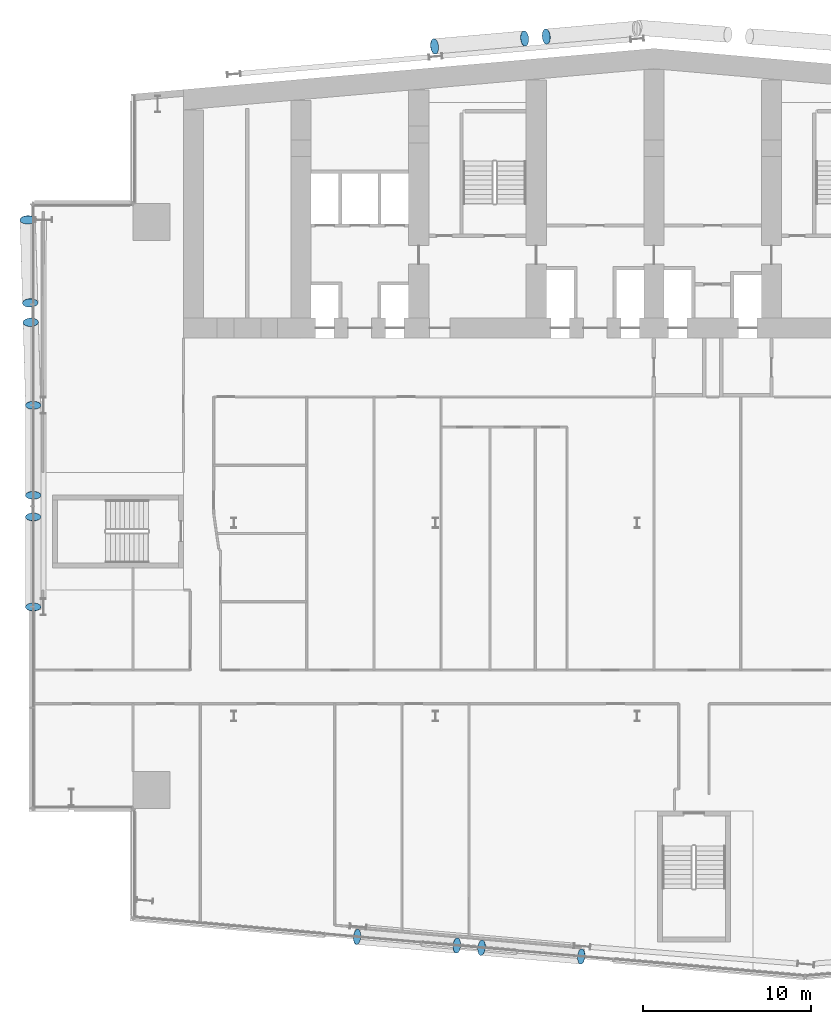
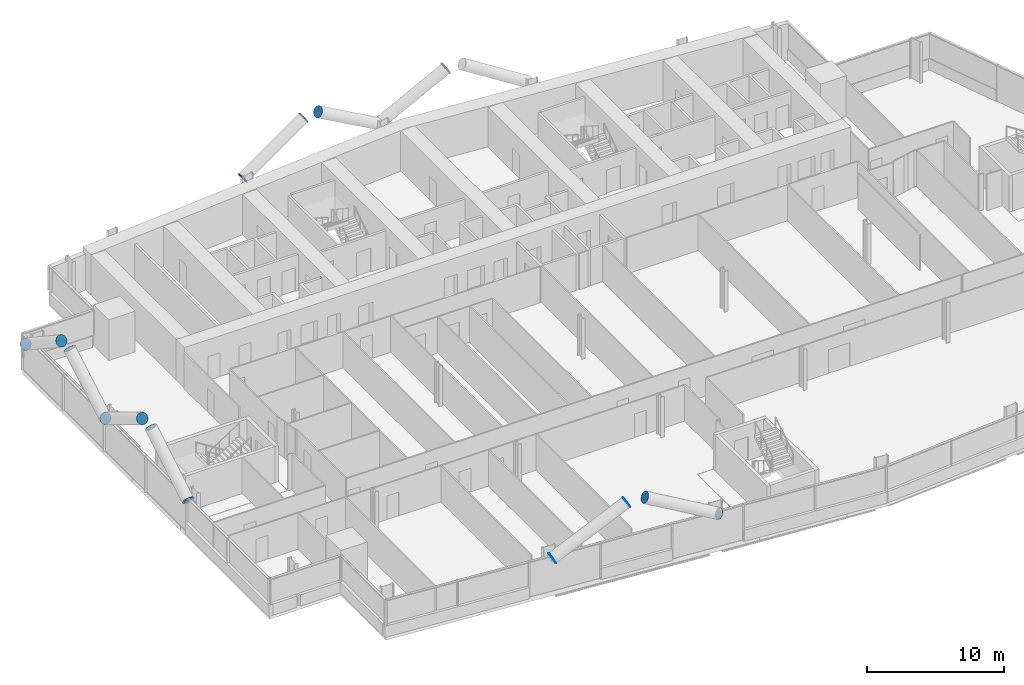
# One storey, part 21 of 27: 14 discrete accessories.
"""IFC4 building model written with IfcOpenShell, lengths in metres."""

from ifc_helpers import new_model, si_unit, direction, frame, origin, origin_2d, place, context, subcontext, project, spatial, circle, extrude, material, material_profile, profile_set, type_object, element, save


model = new_model("IFC4")

# Units and contexts
model_context = context("Model", 3, precision=1e-05, world=origin(), true_north=direction((0.0, 1.0)))
body_context = subcontext(model_context, "Body", "Model", "MODEL_VIEW")
ifc_project = project(units=[si_unit("LENGTHUNIT", "METRE"), si_unit("AREAUNIT", "SQUARE_METRE"), si_unit("VOLUMEUNIT", "CUBIC_METRE"), si_unit("PLANEANGLEUNIT", "RADIAN"), si_unit("MASSUNIT", "GRAM", prefix="KILO")], contexts=[model_context])

# Site, building, storey
site_placement = place(None, origin())
site = spatial("IfcSite", under=ifc_project, at=site_placement, CompositionType="ELEMENT")
building_placement = place(site_placement, origin())
building = spatial("IfcBuilding", under=site, at=building_placement, Name="Wharfspan Tower", CompositionType="ELEMENT")
storey_placement = place(building_placement, frame((0.0, 0.0, 45.100098)))
storey = spatial("IfcBuildingStorey", under=building, at=storey_placement, Name="L07", CompositionType="ELEMENT", Elevation=45.100098)

# Discrete accessories
ifc_material = material(Name="Steel S460NH", Category="steel")
ifc_material_profile = material_profile(ifc_material, circle(Radius=0.457031, at=origin_2d()))
ifc_profile_set = profile_set([ifc_material_profile], Name="Steel S460NH")
discrete_accessory_type = type_object("IfcDiscreteAccessoryType", Name="End plate CHS 914x40", PredefinedType="BRACKET", material=ifc_profile_set)
for number, where, z_axis, x_axis, name in (
    (1, (19.329346, -1.635986, 2.895264), (0.881993, -0.073499, 0.465496), (0.083046, 0.996545, -2e-06), "End plate CHS 914x40"),
    (2, (25.263184, -2.155029, 6.099365), (0.871847, -0.072654, 0.484359), (0.083044, 0.996547, 3e-06), "End plate CHS 914x40"),
    (3, (32.680176, -2.803955, 2.895264), (-0.881993, 0.073499, 0.465496), (-0.083046, -0.996545, -2e-06), "End plate CHS 914x40"),
    (4, (26.746338, -2.284912, 6.099365), (-0.870063, 0.096674, 0.483368), (-0.110432, -0.993885, 0.0), "End plate CHS 914x40"),
    (5, (0.054932, 30.008545, 2.894775), (0.0, -0.857493, 0.514496), (1.0, 0.0, 0.0), "End plate CHS 914x40"),
):
    element("IfcDiscreteAccessory", number, at=place(storey_placement, frame(where, z_axis=z_axis, x_axis=x_axis)), inside=storey, type_object=discrete_accessory_type, Name=name, PredefinedType="BRACKET", context=body_context, shape_type="SweptSolid", body=[
        extrude(circle(Radius=0.457031, at=origin_2d()), origin(), (0.0, 0.0, 1.0), 0.01001),
    ])
discrete_accessory_1_placement = place(storey_placement, frame((0.054932, 24.649902, 6.110107), z_axis=(0.0, -0.863779, 0.503871), x_axis=(1.0, 0.0, 0.0)))
element("IfcDiscreteAccessory", 6, at=discrete_accessory_1_placement, inside=storey, type_object=discrete_accessory_type, Name="End plate CHS 914x40", PredefinedType="BRACKET", context=body_context, shape_type="SweptSolid", body=[
    extrude(circle(Radius=0.457031, at=origin_2d()), origin(), (0.0, 0.0, 1.0), 0.010254),
])
discrete_accessory_2_placement = place(storey_placement, frame((0.054932, 17.991455, 2.894775), z_axis=(0.0, 0.857493, 0.514496), x_axis=(-1.0, 0.0, 0.0)))
element("IfcDiscreteAccessory", 7, at=discrete_accessory_2_placement, inside=storey, type_object=discrete_accessory_type, Name="End plate CHS 914x40", PredefinedType="BRACKET", context=body_context, shape_type="SweptSolid", body=[
    extrude(circle(Radius=0.457031, at=origin_2d()), origin(), (0.0, 0.0, 1.0), 0.01001),
])
discrete_accessory_3_placement = place(storey_placement, frame((0.054932, 23.350098, 6.110107), z_axis=(0.0, 0.863779, 0.503871), x_axis=(-1.0, 0.0, 0.0)))
element("IfcDiscreteAccessory", 8, at=discrete_accessory_3_placement, inside=storey, type_object=discrete_accessory_type, Name="End plate CHS 914x40", PredefinedType="BRACKET", context=body_context, shape_type="SweptSolid", body=[
    extrude(circle(Radius=0.457031, at=origin_2d()), origin(), (0.0, 0.0, 1.0), 0.010254),
])
for number, where, z_axis, x_axis, name in (
    (9, (-0.273438, 41.042725, 2.894531), (0.024183, -0.846389, 0.532016), (0.999594, 0.028561, 1e-06), "End plate CHS 914x40"),
    (10, (-0.126465, 36.100586, 6.119141), (0.024686, -0.839314, 0.543086), (0.999566, 0.0294, 1e-06), "End plate CHS 914x40"),
    (11, (-0.091797, 34.933594, 6.119141), (-0.024686, 0.839314, 0.543086), (-0.999566, -0.0294, 1e-06), "End plate CHS 914x40"),
    (12, (23.938721, 51.362061, 2.894775), (0.853405, 0.097532, 0.512043), (-0.113547, 0.993531, 1e-06), "End plate CHS 914x40"),
    (13, (29.296875, 51.831055, 6.109619), (0.855186, 0.073302, 0.513112), (-0.085402, 0.996345, 1e-06), "End plate CHS 914x40"),
    (14, (30.597656, 51.944824, 6.109619), (-0.855186, -0.073302, 0.513112), (0.085402, -0.996345, 1e-06), "End plate CHS 914x40"),
):
    element("IfcDiscreteAccessory", number, at=place(storey_placement, frame(where, z_axis=z_axis, x_axis=x_axis)), inside=storey, type_object=discrete_accessory_type, Name=name, PredefinedType="BRACKET", context=body_context, shape_type="SweptSolid", body=[
        extrude(circle(Radius=0.457031, at=origin_2d()), origin(), (0.0, 0.0, 1.0), 0.01001),
    ])

save(model, "model.ifc")
